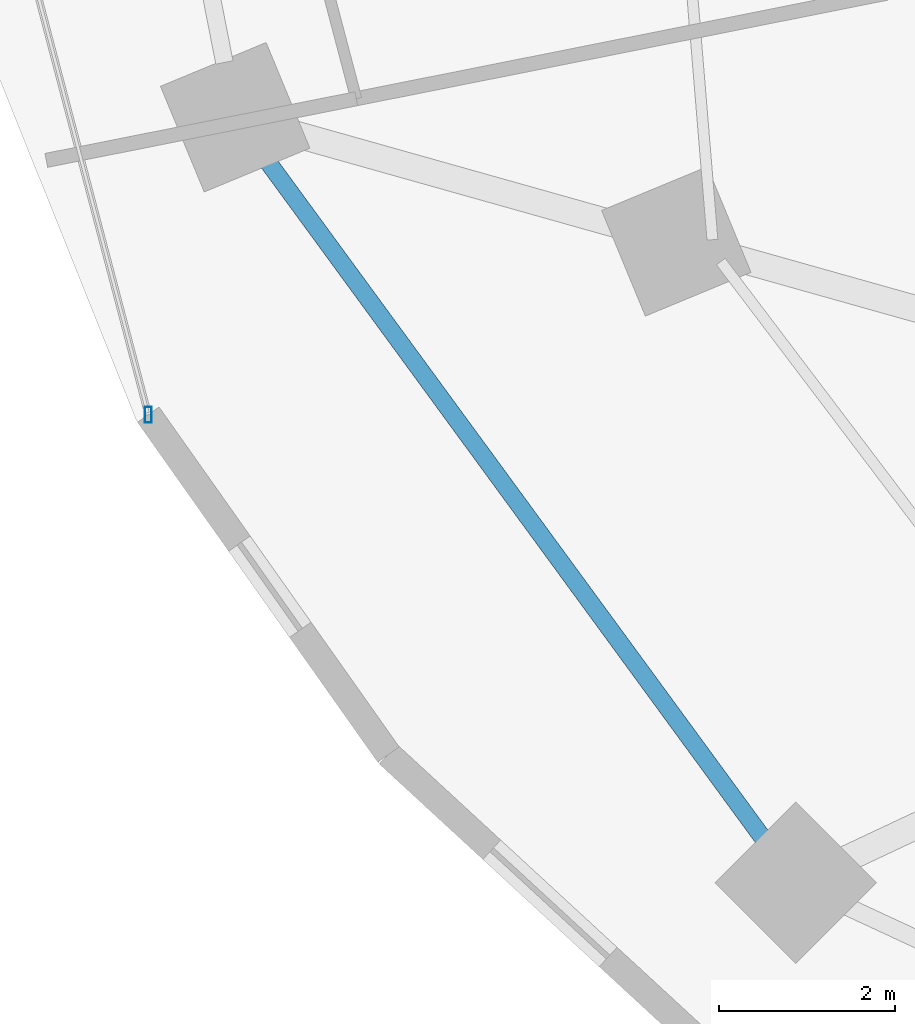
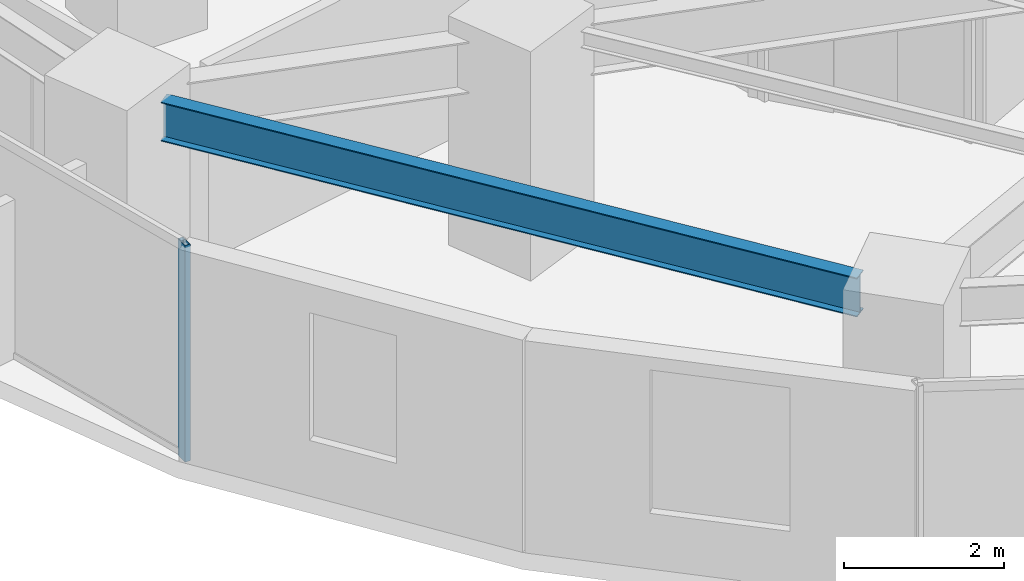
# One storey, part 3 of 35: 1 beam, 1 member, 1 element without a shape of its own.
"""IFC4 building model written with IfcOpenShell, lengths in metres."""

from ifc_helpers import new_model, si_unit, direction, frame, origin, origin_2d, place, context, subcontext, project, spatial, hollow_rectangle, i_section, extrude, material, material_profile, profile_set, type_object, element, aggregate, save


model = new_model("IFC4")

# Units and contexts
model_context = context("Model", 3, precision=1e-05, world=origin(), true_north=direction((0.0, 1.0)))
body_context = subcontext(model_context, "Body", "Model", "MODEL_VIEW")
ifc_project = project(units=[si_unit("LENGTHUNIT", "METRE"), si_unit("AREAUNIT", "SQUARE_METRE"), si_unit("VOLUMEUNIT", "CUBIC_METRE"), si_unit("PLANEANGLEUNIT", "RADIAN"), si_unit("MASSUNIT", "GRAM", prefix="KILO")], contexts=[model_context])

# Site, building, storey
site_placement = place(None, origin())
site = spatial("IfcSite", under=ifc_project, at=site_placement, CompositionType="ELEMENT")
building_placement = place(site_placement, origin())
building = spatial("IfcBuilding", under=site, at=building_placement, Name="Vorneva Point Tower", CompositionType="ELEMENT")
storey_placement = place(building_placement, frame((0.0, 0.0, 45.0)))
storey = spatial("IfcBuildingStorey", under=building, at=storey_placement, Name="L11", CompositionType="ELEMENT", Elevation=45.0)

# Beam
ifc_material_1 = material(Name="Steel S355", Category="steel")
ifc_material_profile_1 = material_profile(ifc_material_1, i_section(OverallWidth=0.198974609375, OverallDepth=0.595947265625, WebThickness=0.010009765625, FlangeThickness=0.014892578125, at=origin_2d()), Name="60B1")
ifc_profile_set_1 = profile_set([ifc_material_profile_1], Name="Steel S355")
beam_type = type_object("IfcBeamType", Name="BM-SPN-60B1", PredefinedType="SPANDREL", material=ifc_profile_set_1)
beam_placement = place(storey_placement, frame((12.063232421875, 20.317138671875, 2.94189453125), z_axis=(0.59073079975, -0.806868714369, 0.0), x_axis=(0.806868714369, 0.59073079975, 0.0)))
element("IfcBeam", 1, at=beam_placement, inside=storey, type_object=beam_type, Name="L11 Perimeter Spandrel Ring Beam 10", PredefinedType="SPANDREL", context=body_context, shape_type="SweptSolid", body=[
    extrude(i_section(OverallWidth=0.198974609375, OverallDepth=0.595947265625, WebThickness=0.010009765625, FlangeThickness=0.014892578125, at=origin_2d()), origin(), (0.0, 0.0, 1.0), 9.518798828125),
])

# Curtain wall, member
ifc_material_2 = material(Name="Pale anodised aluminium", Category="aluminium")
curtain_wall_type = type_object("IfcCurtainWallType", Name="CW-HTL-SYS", PredefinedType="NOTDEFINED", material=ifc_material_2)
curtain_wall_placement = place(storey_placement, origin())
curtain_wall = element("IfcCurtainWall", 2, at=curtain_wall_placement, inside=storey, type_object=curtain_wall_type, Name="L11 Unitised Curtain Wall CW-L11-R03", PredefinedType="NOTDEFINED")
ifc_material_profile_2 = material_profile(ifc_material_2, hollow_rectangle(XDim=0.074951171875, YDim=0.179931640625, WallThickness=0.00390625, at=origin_2d()), Name="AL-MUL 180x75x4")
ifc_profile_set_2 = profile_set([ifc_material_profile_2], Name="Pale anodised aluminium")
member_type = type_object("IfcMemberType", Name="CW-MUL-180", PredefinedType="MULLION", material=ifc_profile_set_2)
member_placement = place(storey_placement, frame((10.699462890625, 17.447021484375, -0.0400390625), z_axis=(0.0, 0.0, 1.0), x_axis=(1.0, 0.0, 0.0)))
member = element("IfcMember", 3, at=member_placement, type_object=member_type, Name="CW-L11-R03 Mullion 03", PredefinedType="MULLION", context=body_context, shape_type="SweptSolid", body=[
    extrude(hollow_rectangle(XDim=0.074951171875, YDim=0.179931640625, WallThickness=0.00390625, at=origin_2d()), origin(), (0.0, 0.0, 1.0), 3.31005859375),
])
aggregate(curtain_wall, [member])

save(model, "model.ifc")
